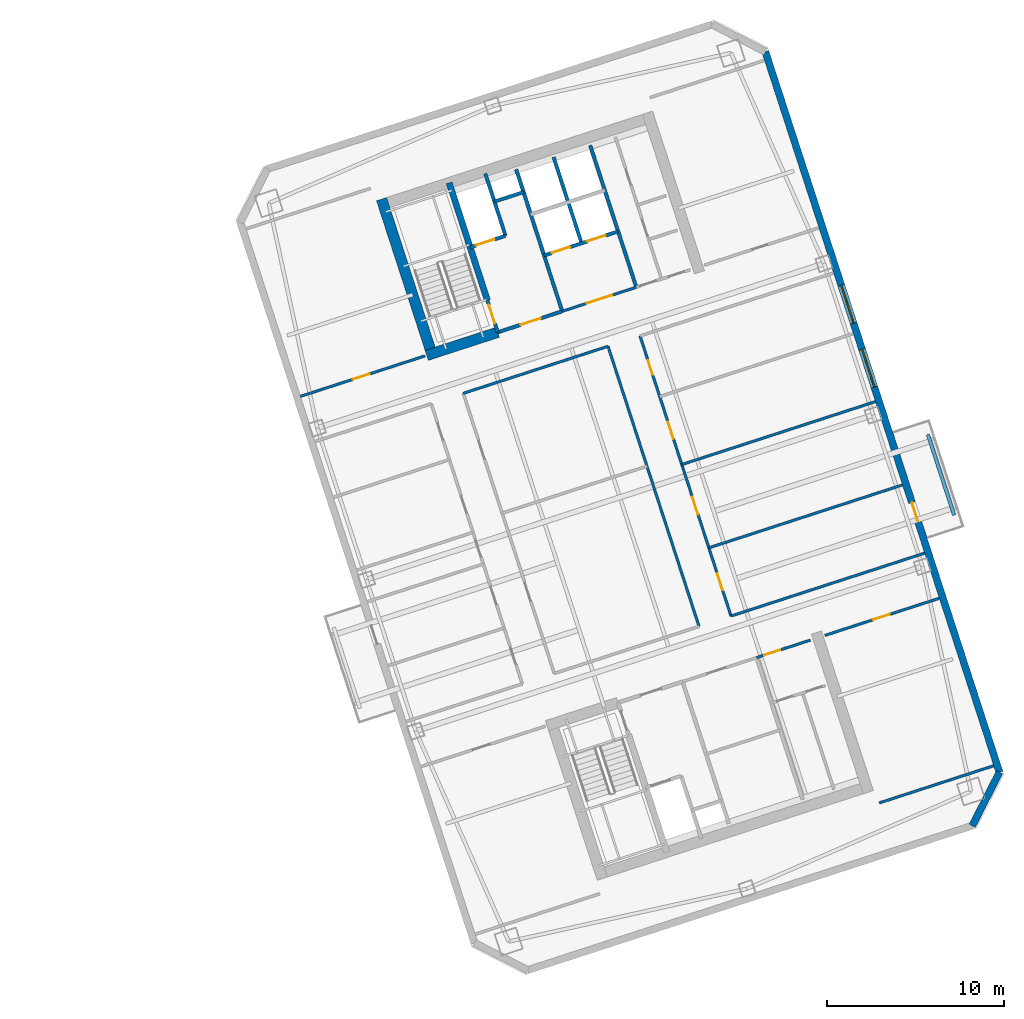
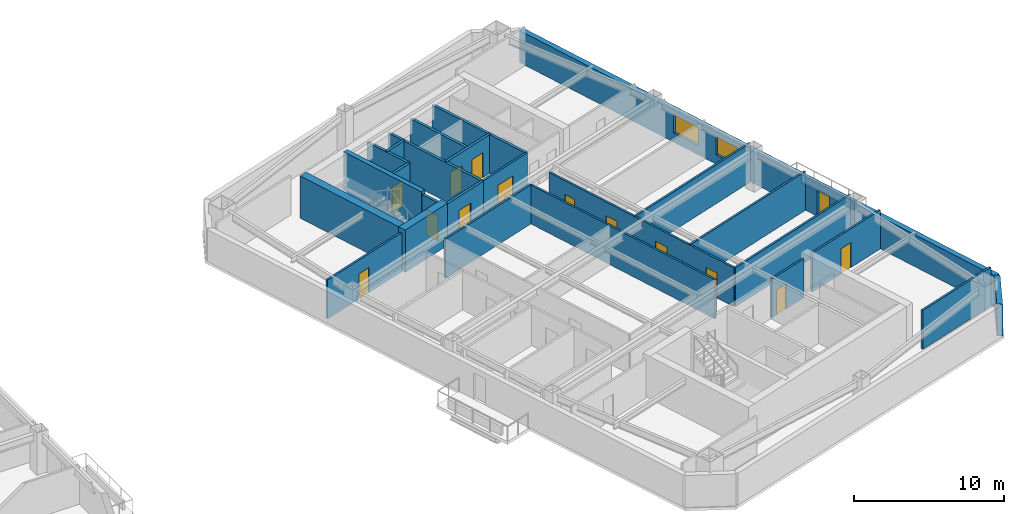
# One storey, part 9 of 15: 26 walls, 14 doors, 2 windows, 16 openings.
"""IFC4 building model written with IfcOpenShell, lengths in metres."""

import ifcopenshell
import ifcopenshell.guid

model = None  # the IFC model being written
_history = None  # IfcOwnerHistory: only IFC2X3 demands one
_inside = {}  # id of a spatial element -> (the spatial element, [elements in it])
_under = {}  # id of a project, library or spatial element -> (it, [spatial elements below it])
_declared = {}  # id of a project -> (the project, [libraries it declares])
_typed = {}  # id of a type object -> (the type object, [elements of that type])
_made_of = {}  # id of a material, layer set ... -> (it, [elements and type objects made of it])


def new_model(schema):
    """Start an empty IFC model of exactly this schema.

    Asked for "IFC4X3", IfcOpenShell would pick the latest addendum, in which some entities
    have other attributes; the version numbers below select the first issue.
    IFC2X3 requires an IfcOwnerHistory on every rooted entity: one is made here for all.
    """
    global model, _history
    if schema == "IFC4X3":
        model = ifcopenshell.file(schema_version=(4, 3, 0, 0))
    else:
        model = ifcopenshell.file(schema=schema)
    _inside.clear()
    _under.clear()
    _declared.clear()
    _typed.clear()
    _made_of.clear()
    _history = None
    if model.schema == "IFC2X3":
        org = make("IfcOrganization", Name="unknown")
        user = make(
            "IfcPersonAndOrganization",
            ThePerson=make("IfcPerson", FamilyName="unknown"),
            TheOrganization=org,
        )
        app = make(
            "IfcApplication",
            ApplicationDeveloper=org,
            Version="unknown",
            ApplicationFullName="unknown",
            ApplicationIdentifier="unknown",
        )
        _history = make(
            "IfcOwnerHistory",
            OwningUser=user,
            OwningApplication=app,
            ChangeAction="ADDED",
            CreationDate=0,
        )
    return model


def make(cls, **values):
    """One entity of the class cls with the attributes given. An attribute that is None is left unset."""
    return model.create_entity(
        cls, **{name: value for name, value in values.items() if value is not None}
    )


def rooted(cls, **values):
    """An entity with a GlobalId (a new one), such as an element, a storey or a relation."""
    return make(cls, GlobalId=ifcopenshell.guid.new(), OwnerHistory=_history, **values)


def si_unit(unit_type, name, prefix=None):
    """IfcSIUnit, for example si_unit("LENGTHUNIT", "METRE", prefix="MILLI")."""
    return make("IfcSIUnit", UnitType=unit_type, Prefix=prefix, Name=name)


def assignment(units):
    """IfcUnitAssignment: the units of a project."""
    return None if units is None else make("IfcUnitAssignment", Units=units)


def point(xyz):
    """IfcCartesianPoint."""
    return None if xyz is None else make("IfcCartesianPoint", Coordinates=xyz)


def direction(xyz):
    """IfcDirection."""
    return None if xyz is None else make("IfcDirection", DirectionRatios=xyz)


def frame(location, z_axis=None, x_axis=None):
    """IfcAxis2Placement3D, a coordinate frame: its origin and axes. An axis left out is left unset."""
    return make(
        "IfcAxis2Placement3D",
        Location=point(location),
        Axis=direction(z_axis),
        RefDirection=direction(x_axis),
    )


def frame_2d(location, x_axis=None):
    """IfcAxis2Placement2D, a coordinate frame in the plane: its origin and x axis."""
    return make(
        "IfcAxis2Placement2D", Location=point(location), RefDirection=direction(x_axis)
    )


def origin():
    """The frame at (0, 0, 0) with its axes left unset."""
    return frame((0.0, 0.0, 0.0))


def place(relative_to, where):
    """IfcLocalPlacement: puts the frame where relative to a parent placement (None: the world)."""
    return make(
        "IfcLocalPlacement", PlacementRelTo=relative_to, RelativePlacement=where
    )


def context(
    kind, dimensions, precision=None, world=None, true_north=None, identifier=None
):
    """IfcGeometricRepresentationContext, for example the 3D "Model" context."""
    return make(
        "IfcGeometricRepresentationContext",
        ContextIdentifier=identifier,
        ContextType=kind,
        CoordinateSpaceDimension=dimensions,
        Precision=precision,
        WorldCoordinateSystem=world,
        TrueNorth=true_north,
    )


def subcontext(parent, identifier, kind, view, scale=None):
    """IfcGeometricRepresentationSubContext, for example "Body" below "Model"."""
    return make(
        "IfcGeometricRepresentationSubContext",
        ContextIdentifier=identifier,
        ContextType=kind,
        ParentContext=parent,
        TargetScale=scale,
        TargetView=view,
    )


def project(units=None, contexts=None):
    """IfcProject with its units and contexts."""
    return rooted(
        "IfcProject",
        Name="project",
        RepresentationContexts=contexts,
        UnitsInContext=assignment(units),
    )


def spatial(cls, under=None, at=None, **own):
    """A site, building, storey or space (cls), placed at a placement, below another one or the project."""
    s = rooted(cls, ObjectPlacement=at, **own)
    if under is not None:
        _under.setdefault(under.id(), (under, []))[1].append(s)
    return s


def profile(cls, at=None, kind="AREA", **sizes):
    """A parametric profile (cls). Its sizes go by their IFC names, for example OverallWidth=200.0."""
    return make(cls, ProfileType=kind, Position=at, **sizes)


def rectangle(**sizes):
    """IfcRectangleProfileDef."""
    return profile("IfcRectangleProfileDef", **sizes)


def extrude(swept, where, along, depth):
    """IfcExtrudedAreaSolid: the profile swept, set in the frame where, extruded along a direction by depth."""
    return make(
        "IfcExtrudedAreaSolid",
        SweptArea=swept,
        Position=where,
        ExtrudedDirection=direction(along),
        Depth=depth,
    )


def shape(context_of_items, identifier, shape_type, items):
    """IfcShapeRepresentation: the items that make up one representation, for example the "Body"."""
    return make(
        "IfcShapeRepresentation",
        ContextOfItems=context_of_items,
        RepresentationIdentifier=identifier,
        RepresentationType=shape_type,
        Items=items,
    )


def material(Name=None, Category=None):
    """IfcMaterial."""
    return make("IfcMaterial", Name=Name, Category=Category)


def layer(
    of_material, thickness, ventilated=None, Name=None, Category=None, Priority=None
):
    """IfcMaterialLayer: one layer of a wall or slab, of a material (None: an air gap)."""
    return make(
        "IfcMaterialLayer",
        Material=of_material,
        LayerThickness=thickness,
        IsVentilated=ventilated,
        Name=Name,
        Category=Category,
        Priority=Priority,
    )


def layer_set(layers, Name=None):
    """IfcMaterialLayerSet."""
    return make("IfcMaterialLayerSet", MaterialLayers=layers, LayerSetName=Name)


def made_of(thing, what):
    """Note that an element or type object is made of a material, layer set ...; save() writes the relation."""
    if what is not None:
        _made_of.setdefault(what.id(), (what, []))[1].append(thing)
    return thing


def type_object(cls, material=None, **own):
    """A type object (cls), such as IfcWallType, which elements share."""
    return made_of(rooted(cls, **own), material)


def element(
    cls,
    number,
    at=None,
    inside=None,
    cuts=None,
    type_object=None,
    material=None,
    context=None,
    identifier="Body",
    shape_type=None,
    held_by="IfcProductDefinitionShape",
    body=None,
    shapes=None,
    **own,
):
    """One element of the class cls, such as IfcWall. Its Tag is "e" and its number.

    at: its placement. inside: the storey or other place that contains it. cuts: it is an
    opening in that element (IfcRelVoidsElement). A single representation is given by context,
    identifier, shape_type and body (its items); several are given by shapes. held_by: the class
    of the entity that holds the representations. save() writes the other relations.
    """
    e = rooted(cls, Tag="e%d" % number, ObjectPlacement=at, **own)
    if body is not None:
        shapes = [shape(context, identifier, shape_type, body)]
    if shapes is not None:
        e.Representation = make(held_by, Representations=shapes)
    if inside is not None:
        _inside.setdefault(inside.id(), (inside, []))[1].append(e)
    if cuts is not None:
        rooted(
            "IfcRelVoidsElement", RelatingBuildingElement=cuts, RelatedOpeningElement=e
        )
    if type_object is not None:
        _typed.setdefault(type_object.id(), (type_object, []))[1].append(e)
    return made_of(e, material)


def fill(opening, filler):
    """IfcRelFillsElement: the door or window that sits in an opening."""
    return rooted(
        "IfcRelFillsElement",
        RelatingOpeningElement=opening,
        RelatedBuildingElement=filler,
    )


def aggregate(whole, parts):
    """IfcRelAggregates: a whole, such as a stair, and the parts it consists of."""
    return rooted("IfcRelAggregates", RelatingObject=whole, RelatedObjects=parts)


def save(model, path):
    """Write the relations noted so far, then the file.

    IfcRelAggregates (storeys below a building ...), IfcRelContainedInSpatialStructure (elements
    in a storey), IfcRelDefinesByType, IfcRelAssociatesMaterial and IfcRelDeclares: one each for
    every whole, place, type object, material and project.
    """
    for whole, parts in _under.values():
        aggregate(whole, parts)
    for where, things in _inside.values():
        rooted(
            "IfcRelContainedInSpatialStructure",
            RelatedElements=things,
            RelatingStructure=where,
        )
    for kind, things in _typed.values():
        rooted("IfcRelDefinesByType", RelatedObjects=things, RelatingType=kind)
    for what, things in _made_of.values():
        rooted("IfcRelAssociatesMaterial", RelatedObjects=things, RelatingMaterial=what)
    for by, libraries in _declared.values():
        rooted("IfcRelDeclares", RelatingContext=by, RelatedDefinitions=libraries)
    model.write(path)


model = new_model("IFC4")

# Units and contexts
model_context = context("Model", 3, precision=1e-05, world=origin(), true_north=direction((0.0, 1.0)))
body_context = subcontext(model_context, "Body", "Model", "MODEL_VIEW")
ifc_project = project(units=[si_unit("LENGTHUNIT", "METRE"), si_unit("AREAUNIT", "SQUARE_METRE"), si_unit("VOLUMEUNIT", "CUBIC_METRE"), si_unit("PLANEANGLEUNIT", "RADIAN"), si_unit("MASSUNIT", "GRAM", prefix="KILO")], contexts=[model_context])

# Site, building, storey
site_placement = place(None, origin())
site = spatial("IfcSite", under=ifc_project, at=site_placement, CompositionType="ELEMENT")
building_placement = place(site_placement, origin())
building = spatial("IfcBuilding", under=site, at=building_placement, Name="Qiaolan Cultural Towers", CompositionType="ELEMENT")
storey_placement = place(building_placement, frame((0.0, 0.0, 166.75)))
storey = spatial("IfcBuildingStorey", under=building, at=storey_placement, Name="L44", CompositionType="ELEMENT", Elevation=166.75)

# Walls
ifc_material_1 = material(Name="Concrete C50", Category="concrete")
ifc_layer_1 = layer(ifc_material_1, 0.35009765625)
ifc_layer_set_1 = layer_set([ifc_layer_1], Name="Concrete C50")
wall_type_1 = type_object("IfcWallType", Name="WL-CORE-350", PredefinedType="SHEAR", material=ifc_layer_set_1)
wall_1_placement = place(storey_placement, frame((82.513671875, 45.13134765625, 0.0), z_axis=(0.0, 0.0, 1.0), x_axis=(-0.308988790936, 0.951065679686, 0.0)))
element("IfcWall", 1, at=wall_1_placement, inside=storey, type_object=wall_type_1, Name="L44 T2-CN Stair Core Dividing Web", PredefinedType="SHEAR", context=body_context, shape_type="SweptSolid", body=[
    extrude(rectangle(XDim=6.97998046875, YDim=0.35009765625, at=frame_2d((3.489990234375, 0.0))), origin(), (0.0, 0.0, 1.0), 3.449951171875),
])
ifc_material_2 = material(Name="Concrete C55", Category="concrete")
ifc_layer_2 = layer(ifc_material_2, 0.60009765625)
ifc_layer_set_2 = layer_set([ifc_layer_2], Name="Concrete C55")
wall_type_2 = type_object("IfcWallType", Name="WL-CORE-600", PredefinedType="SHEAR", material=ifc_layer_set_2)
wall_2_placement = place(storey_placement, frame((79.465576171875, 41.827880859375, 0.0), z_axis=(0.0, 0.0, 1.0), x_axis=(-0.309041232772, 0.951048640421, 0.0)))
element("IfcWall", 2, at=wall_2_placement, inside=storey, type_object=wall_type_2, Name="L44 T2-CN West Core Shear Wall", PredefinedType="SHEAR", context=body_context, shape_type="SweptSolid", body=[
    extrude(rectangle(XDim=9.47998046875, YDim=0.60009765625, at=frame_2d((4.739990234375, 0.0))), origin(), (0.0, 0.0, 1.0), 3.449951171875),
])
wall_3_placement = place(storey_placement, frame((79.08740234375, 42.0205078125, 0.0), z_axis=(0.0, 0.0, 1.0), x_axis=(0.951062550203, 0.3089984233, 0.0)))
element("IfcWall", 3, at=wall_3_placement, inside=storey, type_object=wall_type_2, Name="L44 T2-CN Stair Front Shear Wall", PredefinedType="SHEAR", context=body_context, shape_type="SweptSolid", body=[
    extrude(rectangle(XDim=4.219970703125, YDim=0.60009765625, at=frame_2d((2.10986328125, 0.0))), origin(), (0.0, 0.0, 1.0), 3.449951171875),
])

# Wall, openings, door, windows
ifc_material_3 = material(Name="Precast Concrete C50 Honed Stone Pier", Category="masonry")
ifc_layer_3 = layer(ifc_material_3, 0.39990234375)
ifc_layer_set_3 = layer_set([ifc_layer_3], Name="Precast Concrete C50 Honed Stone Pier")
wall_type_3 = type_object("IfcWallType", Name="WL-EXT-PIER-400", PredefinedType="SOLIDWALL", material=ifc_layer_set_3)
wall_4_placement = place(storey_placement, frame((98.2236328125, 59.17333984375, 0.0), z_axis=(0.0, 0.0, 1.0), x_axis=(0.309014228706, -0.951057414911, 0.0)))
wall_4 = element("IfcWall", 4, at=wall_4_placement, inside=storey, type_object=wall_type_3, Name="L44 East Tower Precast Pier Facade Wall F5", PredefinedType="SOLIDWALL", context=body_context, shape_type="SweptSolid", body=[
    extrude(rectangle(XDim=42.800048828125, YDim=0.39990234375, at=frame_2d((21.39990234375, 0.0))), origin(), (0.0, 0.0, 1.0), 2.610107421875),
])
opening_1_placement = place(wall_4_placement, frame((17.675048828125, 0.0, 0.75)))
opening_1 = element("IfcOpeningElement", 5, at=opening_1_placement, cuts=wall_4, Name="Opening W-03", PredefinedType="OPENING", context=body_context, shape_type="SweptSolid", body=[
    extrude(rectangle(XDim=2.25, YDim=1.4599609375, at=frame_2d((1.125, 0.72998046875))), frame((0.0, 0.2099609375, 0.0), z_axis=(0.0, -1.0, 0.0), x_axis=(1.0, 0.0, 0.0)), (0.0, 0.0, 1.0), 0.419921875),
])
opening_2_placement = place(wall_4_placement, frame((13.875, 0.0, 0.75)))
opening_2 = element("IfcOpeningElement", 6, at=opening_2_placement, cuts=wall_4, Name="Opening W-03", PredefinedType="OPENING", context=body_context, shape_type="SweptSolid", body=[
    extrude(rectangle(XDim=2.25, YDim=1.4599609375, at=frame_2d((1.125, 0.72998046875))), frame((0.0, 0.2099609375, 0.0), z_axis=(0.0, -1.0, 0.0), x_axis=(1.0, 0.0, 0.0)), (0.0, 0.0, 1.0), 0.419921875),
])
opening_3_placement = place(wall_4_placement, frame((26.7841796875, 0.0, 0.0)))
opening_3 = element("IfcOpeningElement", 7, at=opening_3_placement, cuts=wall_4, Name="Opening BD-01", PredefinedType="OPENING", context=body_context, shape_type="SweptSolid", body=[
    extrude(rectangle(XDim=1.10009765625, YDim=2.14990234375, at=frame_2d((0.550048828125, 1.074951171875))), frame((0.0, 0.2099609375, 0.0), z_axis=(0.0, -1.0, 0.0), x_axis=(1.0, 0.0, 0.0)), (0.0, 0.0, 1.0), 0.419921875),
])
ifc_material_4 = material(Name="Thermally Broken Aluminium Glazed Terrace Door", Category="aluminium")
door_type_1 = type_object("IfcDoorType", Name="DR-BAL-1100", OperationType="NOTDEFINED", PredefinedType="DOOR", material=ifc_material_4)
door_1_placement = place(opening_3_placement, origin())
door_1 = element("IfcDoor", 8, at=door_1_placement, inside=storey, type_object=door_type_1, Name="L44 T2 East Tree Balcony Door", OperationType="SINGLE_SWING_RIGHT", OverallHeight=2.14990234375, OverallWidth=1.10009765625, PredefinedType="DOOR", context=body_context, shape_type="SweptSolid", body=[
    extrude(rectangle(XDim=1.10009765625, YDim=2.14990234375, at=frame_2d((0.550048828125, 1.074951171875))), frame((0.0, 0.02490234375, 0.0), z_axis=(0.0, -1.0, 0.0), x_axis=(1.0, 0.0, 0.0)), (0.0, 0.0, 1.0), 0.050048828125),
])
fill(opening_3, door_1)
ifc_material_5 = material(Name="Thermally Broken Aluminium Triple Low-E Glazing", Category="aluminium")
window_type = type_object("IfcWindowType", Name="WN-CHIC-2250", PartitioningType="SINGLE_PANEL", PredefinedType="WINDOW", material=ifc_material_5)
window_1_placement = place(opening_1_placement, origin())
window_1 = element("IfcWindow", 9, at=window_1_placement, inside=storey, type_object=window_type, Name="L44 T2 E Chicago Bay Window 1", OverallHeight=1.4599609375, OverallWidth=2.25, PartitioningType="TRIPLE_PANEL_VERTICAL", PredefinedType="WINDOW", context=body_context, shape_type="SweptSolid", body=[
    extrude(rectangle(XDim=2.25, YDim=1.4599609375, at=frame_2d((1.125, 0.72998046875))), frame((0.0, 0.030029296875, 0.0), z_axis=(0.0, -1.0, 0.0), x_axis=(1.0, 0.0, 0.0)), (0.0, 0.0, 1.0), 0.06005859375),
])
fill(opening_1, window_1)
window_2_placement = place(opening_2_placement, origin())
window_2 = element("IfcWindow", 10, at=window_2_placement, inside=storey, type_object=window_type, Name="L44 T2 E Chicago Bay Window 2", OverallHeight=1.4599609375, OverallWidth=2.25, PartitioningType="TRIPLE_PANEL_VERTICAL", PredefinedType="WINDOW", context=body_context, shape_type="SweptSolid", body=[
    extrude(rectangle(XDim=2.25, YDim=1.4599609375, at=frame_2d((1.125, 0.72998046875))), frame((0.0, 0.030029296875, 0.0), z_axis=(0.0, -1.0, 0.0), x_axis=(1.0, 0.0, 0.0)), (0.0, 0.0, 1.0), 0.06005859375),
])
fill(opening_2, window_2)

# Wall
wall_5_placement = place(storey_placement, frame((111.449462890625, 18.468017578125, 0.0), z_axis=(0.0, 0.0, 1.0), x_axis=(-0.454019523198, -0.890991735402, 0.0)))
element("IfcWall", 11, at=wall_5_placement, inside=storey, type_object=wall_type_3, Name="L44 East Tower Precast Pier Facade Wall F6", PredefinedType="SOLIDWALL", context=body_context, shape_type="SweptSolid", body=[
    extrude(rectangle(XDim=3.39404296875, YDim=0.39990234375, at=frame_2d((1.697021484375, 0.0))), origin(), (0.0, 0.0, 1.0), 2.610107421875),
])

# Wall, opening, door
ifc_material_6 = material(Name="Concrete C35 Fire Wall", Category="concrete")
ifc_layer_4 = layer(ifc_material_6, 0.199951171875)
ifc_layer_set_4 = layer_set([ifc_layer_4], Name="Concrete C35 Fire Wall")
wall_type_4 = type_object("IfcWallType", Name="WL-FIRE-200", PredefinedType="PARTITIONING", material=ifc_layer_set_4)
wall_6_placement = place(storey_placement, frame((83.100830078125, 43.324462890625, 0.0), z_axis=(0.0, 0.0, 1.0), x_axis=(-0.309048298632, 0.951046344356, 0.0)))
wall_6 = element("IfcWall", 12, at=wall_6_placement, inside=storey, type_object=wall_type_4, Name="L44 T2-CN Smokeproof Stair Entry Wall", PredefinedType="PARTITIONING", context=body_context, shape_type="SweptSolid", body=[
    extrude(rectangle(XDim=1.89990234375, YDim=0.199951171875, at=frame_2d((0.949951171875, 0.0))), origin(), (0.0, 0.0, 1.0), 3.175048828125),
])
opening_4_placement = place(wall_6_placement, frame((0.52001953125, 0.0, 0.0)))
opening_4 = element("IfcOpeningElement", 13, at=opening_4_placement, cuts=wall_6, Name="Opening FD-04", PredefinedType="OPENING", context=body_context, shape_type="SweptSolid", body=[
    extrude(rectangle(XDim=1.10009765625, YDim=2.050048828125, at=frame_2d((0.550048828125, 1.02490234375))), frame((0.0, 0.10986328125, 0.0), z_axis=(0.0, -1.0, 0.0), x_axis=(1.0, 0.0, 0.0)), (0.0, 0.0, 1.0), 0.219970703125),
])
ifc_material_7 = material(Name="Galvanized Steel Command Fire Door", Category="steel")
door_type_2 = type_object("IfcDoorType", Name="DR-FD90-1100", OperationType="NOTDEFINED", PredefinedType="DOOR", material=ifc_material_7)
door_2_placement = place(opening_4_placement, origin())
door_2 = element("IfcDoor", 14, at=door_2_placement, inside=storey, type_object=door_type_2, Name="L44 ST-E2 Smokeproof Stair Fire Door", OperationType="SINGLE_SWING_LEFT", OverallHeight=2.050048828125, OverallWidth=1.10009765625, PredefinedType="DOOR", context=body_context, shape_type="SweptSolid", body=[
    extrude(rectangle(XDim=1.10009765625, YDim=2.050048828125, at=frame_2d((0.550048828125, 1.02490234375))), frame((0.0, 0.02490234375, 0.0), z_axis=(0.0, -1.0, 0.0), x_axis=(1.0, 0.0, 0.0)), (0.0, 0.0, 1.0), 0.050048828125),
])
fill(opening_4, door_2)

# Wall
wall_7_placement = place(storey_placement, frame((86.743408203125, 44.508056640625, 0.0), z_axis=(0.0, 0.0, 1.0), x_axis=(-0.309016001439, 0.951056838919, 0.0)))
element("IfcWall", 15, at=wall_7_placement, inside=storey, type_object=wall_type_4, Name="L44 T2-CN Firefighting Zone Wall", PredefinedType="PARTITIONING", context=body_context, shape_type="SweptSolid", body=[
    extrude(rectangle(XDim=8.429931640625, YDim=0.199951171875, at=frame_2d((4.21484375, 0.0))), origin(), (0.0, 0.0, 1.0), 3.175048828125),
])

# Wall, opening, door
wall_8_placement = place(storey_placement, frame((83.100830078125, 43.324462890625, 0.0), z_axis=(0.0, 0.0, 1.0), x_axis=(0.951052804469, 0.309028417967, 0.0)))
wall_8 = element("IfcWall", 16, at=wall_8_placement, inside=storey, type_object=wall_type_4, Name="L44 T2-CN Firefighting Lobby Front Wall", PredefinedType="PARTITIONING", context=body_context, shape_type="SweptSolid", body=[
    extrude(rectangle(XDim=3.830078125, YDim=0.199951171875, at=frame_2d((1.9150390625, 0.0))), origin(), (0.0, 0.0, 1.0), 3.175048828125),
])
opening_5_placement = place(wall_8_placement, frame((1.35009765625, 0.0, 0.0)))
opening_5 = element("IfcOpeningElement", 17, at=opening_5_placement, cuts=wall_8, Name="Opening FD-03", PredefinedType="OPENING", context=body_context, shape_type="SweptSolid", body=[
    extrude(rectangle(XDim=1.199951171875, YDim=2.050048828125, at=frame_2d((0.60009765625, 1.02490234375))), frame((0.0, 0.10986328125, 0.0), z_axis=(0.0, -1.0, 0.0), x_axis=(1.0, 0.0, 0.0)), (0.0, 0.0, 1.0), 0.219970703125),
])
ifc_material_8 = material(Name="Galvanized Steel Smokeproof Lobby Fire Door", Category="steel")
door_type_3 = type_object("IfcDoorType", Name="DR-FD90-1200", OperationType="NOTDEFINED", PredefinedType="DOOR", material=ifc_material_8)
door_3_placement = place(opening_5_placement, origin())
door_3 = element("IfcDoor", 18, at=door_3_placement, inside=storey, type_object=door_type_3, Name="L44 FFL-E2 Firefighting Lobby Fire Door", OperationType="SINGLE_SWING_LEFT", OverallHeight=2.050048828125, OverallWidth=1.199951171875, PredefinedType="DOOR", context=body_context, shape_type="SweptSolid", body=[
    extrude(rectangle(XDim=1.199951171875, YDim=2.050048828125, at=frame_2d((0.60009765625, 1.02490234375))), frame((0.0, 0.02490234375, 0.0), z_axis=(0.0, -1.0, 0.0), x_axis=(1.0, 0.0, 0.0)), (0.0, 0.0, 1.0), 0.050048828125),
])
fill(opening_5, door_3)

wall_9_placement = place(storey_placement, frame((81.540283203125, 48.127197265625, 0.0), z_axis=(0.0, 0.0, 1.0), x_axis=(0.951062257173, 0.308999325213, 0.0)))
wall_9 = element("IfcWall", 19, at=wall_9_placement, inside=storey, type_object=wall_type_4, Name="L44 T2-CN Firefighting Shaft Front Wall", PredefinedType="PARTITIONING", context=body_context, shape_type="SweptSolid", body=[
    extrude(rectangle(XDim=2.10009765625, YDim=0.199951171875, at=frame_2d((1.050048828125, 0.0))), origin(), (0.0, 0.0, 1.0), 3.175048828125),
])
opening_6_placement = place(wall_9_placement, frame((0.35009765625, 0.0, 0.0)))
opening_6 = element("IfcOpeningElement", 20, at=opening_6_placement, cuts=wall_9, Name="Opening LD-01", PredefinedType="OPENING", context=body_context, shape_type="SweptSolid", body=[
    extrude(rectangle(XDim=1.10009765625, YDim=2.050048828125, at=frame_2d((0.550048828125, 1.02490234375))), frame((0.0, 0.10986328125, 0.0), z_axis=(0.0, -1.0, 0.0), x_axis=(1.0, 0.0, 0.0)), (0.0, 0.0, 1.0), 0.219970703125),
])
ifc_material_9 = material(Name="Brushed Stainless Steel S30408 Centre-Parting Lift Landing Door", Category="steel")
door_type_4 = type_object("IfcDoorType", Name="DR-LIFT-1100", OperationType="NOTDEFINED", PredefinedType="DOOR", material=ifc_material_9)
door_4_placement = place(opening_6_placement, origin())
door_4 = element("IfcDoor", 21, at=door_4_placement, inside=storey, type_object=door_type_4, Name="L44 FFL-E2 Firefighting Lift Landing Door", OperationType="DOUBLE_DOOR_SLIDING", OverallHeight=2.050048828125, OverallWidth=1.10009765625, PredefinedType="DOOR", context=body_context, shape_type="SweptSolid", body=[
    extrude(rectangle(XDim=1.10009765625, YDim=2.050048828125, at=frame_2d((0.550048828125, 1.02490234375))), frame((0.0, 0.02490234375, 0.0), z_axis=(0.0, -1.0, 0.0), x_axis=(1.0, 0.0, 0.0)), (0.0, 0.0, 1.0), 0.050048828125),
])
fill(opening_6, door_4)

# Walls
wall_10_placement = place(storey_placement, frame((83.53759765625, 48.776123046875, 0.0), z_axis=(0.0, 0.0, 1.0), x_axis=(-0.3089935693, 0.951064127245, 0.0)))
element("IfcWall", 22, at=wall_10_placement, inside=storey, type_object=wall_type_4, Name="L44 T2-CN Firefighting Hoistway East Wall", PredefinedType="PARTITIONING", context=body_context, shape_type="SweptSolid", body=[
    extrude(rectangle(XDim=3.7001953125, YDim=0.199951171875, at=frame_2d((1.85009765625, 0.0))), origin(), (0.0, 0.0, 1.0), 3.175048828125),
])
wall_11_placement = place(storey_placement, frame((82.910400390625, 50.706787109375, 0.0), z_axis=(0.0, 0.0, 1.0), x_axis=(0.951041328149, 0.309063734775, 0.0)))
element("IfcWall", 23, at=wall_11_placement, inside=storey, type_object=wall_type_4, Name="L44 T2-CN Pressurization Shaft Front Wall", PredefinedType="PARTITIONING", context=body_context, shape_type="SweptSolid", body=[
    extrude(rectangle(XDim=1.72998046875, YDim=0.199951171875, at=frame_2d((0.864990234375, 0.0))), origin(), (0.0, 0.0, 1.0), 3.175048828125),
])
wall_12_placement = place(storey_placement, frame((90.92822265625, 45.86767578125, 0.0), z_axis=(0.0, 0.0, 1.0), x_axis=(-0.309042196757, 0.951048327176, 0.0)))
element("IfcWall", 24, at=wall_12_placement, inside=storey, type_object=wall_type_4, Name="L44 T2-CN Lift Core East Wall", PredefinedType="PARTITIONING", context=body_context, shape_type="SweptSolid", body=[
    extrude(rectangle(XDim=8.429931640625, YDim=0.199951171875, at=frame_2d((4.21484375, 0.0))), origin(), (0.0, 0.0, 1.0), 3.175048828125),
])

# Wall, openings, doors
wall_13_placement = place(storey_placement, frame((85.717529296875, 47.66552734375, 0.0), z_axis=(0.0, 0.0, 1.0), x_axis=(0.951058531764, 0.30901079133, 0.0)))
wall_13 = element("IfcWall", 25, at=wall_13_placement, inside=storey, type_object=wall_type_4, Name="L44 T2-CN Passenger Lift Shaft Front Wall", PredefinedType="PARTITIONING", context=body_context, shape_type="SweptSolid", body=[
    extrude(rectangle(XDim=4.39990234375, YDim=0.199951171875, at=frame_2d((2.199951171875, 0.0))), origin(), (0.0, 0.0, 1.0), 3.175048828125),
])
opening_7_placement = place(wall_13_placement, frame((0.449951171875, 0.0, 0.0)))
opening_7 = element("IfcOpeningElement", 26, at=opening_7_placement, cuts=wall_13, Name="Opening LD-01", PredefinedType="OPENING", context=body_context, shape_type="SweptSolid", body=[
    extrude(rectangle(XDim=1.10009765625, YDim=2.050048828125, at=frame_2d((0.550048828125, 1.02490234375))), frame((0.0, 0.10986328125, 0.0), z_axis=(0.0, -1.0, 0.0), x_axis=(1.0, 0.0, 0.0)), (0.0, 0.0, 1.0), 0.219970703125),
])
opening_8_placement = place(wall_13_placement, frame((2.550048828125, 0.0, 0.0)))
opening_8 = element("IfcOpeningElement", 27, at=opening_8_placement, cuts=wall_13, Name="Opening LD-01", PredefinedType="OPENING", context=body_context, shape_type="SweptSolid", body=[
    extrude(rectangle(XDim=1.10009765625, YDim=2.050048828125, at=frame_2d((0.550048828125, 1.02490234375))), frame((0.0, 0.10986328125, 0.0), z_axis=(0.0, -1.0, 0.0), x_axis=(1.0, 0.0, 0.0)), (0.0, 0.0, 1.0), 0.219970703125),
])
door_5_placement = place(opening_7_placement, origin())
door_5 = element("IfcDoor", 28, at=door_5_placement, inside=storey, type_object=door_type_4, Name="L44 Passenger Lift 1 Landing Door", OperationType="DOUBLE_DOOR_SLIDING", OverallHeight=2.050048828125, OverallWidth=1.10009765625, PredefinedType="DOOR", context=body_context, shape_type="SweptSolid", body=[
    extrude(rectangle(XDim=1.10009765625, YDim=2.050048828125, at=frame_2d((0.550048828125, 1.02490234375))), frame((0.0, 0.02490234375, 0.0), z_axis=(0.0, -1.0, 0.0), x_axis=(1.0, 0.0, 0.0)), (0.0, 0.0, 1.0), 0.050048828125),
])
fill(opening_7, door_5)
door_6_placement = place(opening_8_placement, origin())
door_6 = element("IfcDoor", 29, at=door_6_placement, inside=storey, type_object=door_type_4, Name="L44 Passenger Lift 2 Landing Door", OperationType="DOUBLE_DOOR_SLIDING", OverallHeight=2.050048828125, OverallWidth=1.10009765625, PredefinedType="DOOR", context=body_context, shape_type="SweptSolid", body=[
    extrude(rectangle(XDim=1.10009765625, YDim=2.050048828125, at=frame_2d((0.550048828125, 1.02490234375))), frame((0.0, 0.02490234375, 0.0), z_axis=(0.0, -1.0, 0.0), x_axis=(1.0, 0.0, 0.0)), (0.0, 0.0, 1.0), 0.050048828125),
])
fill(opening_8, door_6)

# Wall
wall_14_placement = place(storey_placement, frame((87.83837890625, 48.3544921875, 0.0), z_axis=(0.0, 0.0, 1.0), x_axis=(-0.3090093719, 0.951058992953, 0.0)))
element("IfcWall", 30, at=wall_14_placement, inside=storey, type_object=wall_type_4, Name="L44 T2-CN Lift Shaft Divider Wall", PredefinedType="PARTITIONING", context=body_context, shape_type="SweptSolid", body=[
    extrude(rectangle(XDim=5.110107421875, YDim=0.199951171875, at=frame_2d((2.55517578125, 0.0))), origin(), (0.0, 0.0, 1.0), 3.175048828125),
])

# Wall, opening, door
ifc_material_10 = material(Name="Autoclaved Aerated Concrete Block B06", Category="concrete")
ifc_layer_5 = layer(ifc_material_10, 0.14990234375)
ifc_layer_set_5 = layer_set([ifc_layer_5], Name="Autoclaved Aerated Concrete Block B06")
wall_type_5 = type_object("IfcWallType", Name="WL-PART-150", PredefinedType="PARTITIONING", material=ifc_layer_set_5)
wall_15_placement = place(storey_placement, frame((97.7265625, 24.9443359375, 0.0), z_axis=(0.0, 0.0, 1.0), x_axis=(0.951036872128, 0.309077446369, 0.0)))
wall_15 = element("IfcWall", 31, at=wall_15_placement, inside=storey, type_object=wall_type_5, Name="L44 T2-CS Sanitary Core Front Wall", PredefinedType="PARTITIONING", context=body_context, shape_type="SweptSolid", body=[
    extrude(rectangle(XDim=3.199951171875, YDim=0.14990234375, at=frame_2d((1.60009765625, 0.0))), origin(), (0.0, 0.0, 1.0), 3.175048828125),
])
opening_9_placement = place(wall_15_placement, frame((0.449951171875, 0.0, 0.0)))
opening_9 = element("IfcOpeningElement", 32, at=opening_9_placement, cuts=wall_15, Name="Opening ID-05", PredefinedType="OPENING", context=body_context, shape_type="SweptSolid", body=[
    extrude(rectangle(XDim=0.949951171875, YDim=2.050048828125, at=frame_2d((0.47509765625, 1.02490234375))), frame((0.0, 0.0849609375, 0.0), z_axis=(0.0, -1.0, 0.0), x_axis=(1.0, 0.0, 0.0)), (0.0, 0.0, 1.0), 0.169921875),
])
ifc_material_11 = material(Name="Fire-Rated Laminate Accessible Core Door", Category="timber")
door_type_5 = type_object("IfcDoorType", Name="DR-INT-950", OperationType="NOTDEFINED", PredefinedType="DOOR", material=ifc_material_11)
door_7_placement = place(opening_9_placement, origin())
door_7 = element("IfcDoor", 33, at=door_7_placement, inside=storey, type_object=door_type_5, Name="L44 Sanitary Vestibule Door", OperationType="SINGLE_SWING_LEFT", OverallHeight=2.050048828125, OverallWidth=0.949951171875, PredefinedType="DOOR", context=body_context, shape_type="SweptSolid", body=[
    extrude(rectangle(XDim=0.949951171875, YDim=2.050048828125, at=frame_2d((0.47509765625, 1.02490234375))), frame((0.0, 0.02490234375, 0.0), z_axis=(0.0, -1.0, 0.0), x_axis=(1.0, 0.0, 0.0)), (0.0, 0.0, 1.0), 0.050048828125),
])
fill(opening_9, door_7)

wall_16_placement = place(storey_placement, frame((86.743408203125, 44.508056640625, 0.0), z_axis=(0.0, 0.0, 1.0), x_axis=(0.951063829732, 0.308994485023, 0.0)))
wall_16 = element("IfcWall", 34, at=wall_16_placement, inside=storey, type_object=wall_type_5, Name="L44 T2-CN Passenger Lift Lobby Front Wall", PredefinedType="PARTITIONING", context=body_context, shape_type="SweptSolid", body=[
    extrude(rectangle(XDim=4.400146484375, YDim=0.14990234375, at=frame_2d((2.2001953125, 0.0))), origin(), (0.0, 0.0, 1.0), 3.175048828125),
])
opening_10_placement = place(wall_16_placement, frame((1.449951171875, 0.0, 0.0)))
opening_10 = element("IfcOpeningElement", 35, at=opening_10_placement, cuts=wall_16, Name="Opening FD-05", PredefinedType="OPENING", context=body_context, shape_type="SweptSolid", body=[
    extrude(rectangle(XDim=1.5, YDim=2.050048828125, at=frame_2d((0.75, 1.02490234375))), frame((0.0, 0.0849609375, 0.0), z_axis=(0.0, -1.0, 0.0), x_axis=(1.0, 0.0, 0.0)), (0.0, 0.0, 1.0), 0.169921875),
])
ifc_material_12 = material(Name="Painted Steel Lift Lobby Fire Door", Category="steel")
door_type_6 = type_object("IfcDoorType", Name="DR-FD60-1500", OperationType="NOTDEFINED", PredefinedType="DOOR", material=ifc_material_12)
door_8_placement = place(opening_10_placement, origin())
door_8 = element("IfcDoor", 36, at=door_8_placement, inside=storey, type_object=door_type_6, Name="L44 Passenger Lift Lobby Entrance", OperationType="SINGLE_SWING_LEFT", OverallHeight=2.050048828125, OverallWidth=1.5, PredefinedType="DOOR", context=body_context, shape_type="SweptSolid", body=[
    extrude(rectangle(XDim=1.5, YDim=2.050048828125, at=frame_2d((0.75, 1.02490234375))), frame((0.0, 0.02490234375, 0.0), z_axis=(0.0, -1.0, 0.0), x_axis=(1.0, 0.0, 0.0)), (0.0, 0.0, 1.0), 0.050048828125),
])
fill(opening_10, door_8)

# Wall
wall_17_placement = place(storey_placement, frame((104.653076171875, 16.73291015625, 0.0), z_axis=(0.0, 0.0, 1.0), x_axis=(0.951054383043, 0.309023559774, 0.0)))
element("IfcWall", 37, at=wall_17_placement, inside=storey, type_object=wall_type_5, Name="L44 T2 Flank Wall FLK-SE", PredefinedType="PARTITIONING", context=body_context, shape_type="SweptSolid", body=[
    extrude(rectangle(XDim=6.7998046875, YDim=0.14990234375, at=frame_2d((3.39990234375, 0.0))), origin(), (0.0, 0.0, 1.0), 3.175048828125),
])

# Wall, opening, door
wall_18_placement = place(storey_placement, frame((101.578369140625, 26.196044921875, 0.0), z_axis=(0.0, 0.0, 1.0), x_axis=(0.951064934653, 0.308991084134, 0.0)))
wall_18 = element("IfcWall", 38, at=wall_18_placement, inside=storey, type_object=wall_type_5, Name="L44 T2 Flank Front FLK-SE", PredefinedType="PARTITIONING", context=body_context, shape_type="SweptSolid", body=[
    extrude(rectangle(XDim=6.7998046875, YDim=0.14990234375, at=frame_2d((3.39990234375, 0.0))), origin(), (0.0, 0.0, 1.0), 3.175048828125),
])
opening_11_placement = place(wall_18_placement, frame((2.85595703125, 0.0, 0.0)))
opening_11 = element("IfcOpeningElement", 39, at=opening_11_placement, cuts=wall_18, Name="Opening ID-04", PredefinedType="OPENING", context=body_context, shape_type="SweptSolid", body=[
    extrude(rectangle(XDim=1.0, YDim=2.050048828125, at=frame_2d((0.5, 1.02490234375))), frame((0.0, 0.0849609375, 0.0), z_axis=(0.0, -1.0, 0.0), x_axis=(1.0, 0.0, 0.0)), (0.0, 0.0, 1.0), 0.169921875),
])
ifc_material_13 = material(Name="Oak Veneer Acoustic Office Door", Category="timber")
door_type_7 = type_object("IfcDoorType", Name="DR-INT-1000", OperationType="NOTDEFINED", PredefinedType="DOOR", material=ifc_material_13)
door_9_placement = place(opening_11_placement, origin())
door_9 = element("IfcDoor", 40, at=door_9_placement, inside=storey, type_object=door_type_7, Name="L44 T2 Corner Studio Door", OperationType="SINGLE_SWING_LEFT", OverallHeight=2.050048828125, OverallWidth=1.0, PredefinedType="DOOR", context=body_context, shape_type="SweptSolid", body=[
    extrude(rectangle(XDim=1.0, YDim=2.050048828125, at=frame_2d((0.5, 1.02490234375))), frame((0.0, 0.02490234375, 0.0), z_axis=(0.0, -1.0, 0.0), x_axis=(1.0, 0.0, 0.0)), (0.0, 0.0, 1.0), 0.050048828125),
])
fill(opening_11, door_9)

wall_19_placement = place(storey_placement, frame((71.95458984375, 39.702880859375, 0.0), z_axis=(0.0, 0.0, 1.0), x_axis=(0.951060977215, 0.309003264738, 0.0)))
wall_19 = element("IfcWall", 41, at=wall_19_placement, inside=storey, type_object=wall_type_5, Name="L44 T2 Flank Front FLK-NW", PredefinedType="PARTITIONING", context=body_context, shape_type="SweptSolid", body=[
    extrude(rectangle(XDim=7.39990234375, YDim=0.14990234375, at=frame_2d((3.699951171875, 0.0))), origin(), (0.0, 0.0, 1.0), 3.175048828125),
])
opening_12_placement = place(wall_19_placement, frame((3.10791015625, 0.0, 0.0)))
opening_12 = element("IfcOpeningElement", 42, at=opening_12_placement, cuts=wall_19, Name="Opening ID-04", PredefinedType="OPENING", context=body_context, shape_type="SweptSolid", body=[
    extrude(rectangle(XDim=1.0, YDim=2.050048828125, at=frame_2d((0.5, 1.02490234375))), frame((0.0, 0.0849609375, 0.0), z_axis=(0.0, -1.0, 0.0), x_axis=(1.0, 0.0, 0.0)), (0.0, 0.0, 1.0), 0.169921875),
])
door_10_placement = place(opening_12_placement, origin())
door_10 = element("IfcDoor", 43, at=door_10_placement, inside=storey, type_object=door_type_7, Name="L44 T2 Corner Studio Door", OperationType="SINGLE_SWING_LEFT", OverallHeight=2.050048828125, OverallWidth=1.0, PredefinedType="DOOR", context=body_context, shape_type="SweptSolid", body=[
    extrude(rectangle(XDim=1.0, YDim=2.050048828125, at=frame_2d((0.5, 1.02490234375))), frame((0.0, 0.02490234375, 0.0), z_axis=(0.0, -1.0, 0.0), x_axis=(1.0, 0.0, 0.0)), (0.0, 0.0, 1.0), 0.050048828125),
])
fill(opening_12, door_10)

# Walls
wall_20_placement = place(storey_placement, frame((96.280029296875, 27.29248046875, 0.0), z_axis=(0.0, 0.0, 1.0), x_axis=(0.951056999652, 0.309015506751, 0.0)))
element("IfcWall", 44, at=wall_20_placement, inside=storey, type_object=wall_type_5, Name="L44 T2 Interior Wall", PredefinedType="PARTITIONING", context=body_context, shape_type="SweptSolid", body=[
    extrude(rectangle(XDim=11.5, YDim=0.14990234375, at=frame_2d((5.75, 0.0))), origin(), (0.0, 0.0, 1.0), 3.175048828125),
])
wall_21_placement = place(storey_placement, frame((81.152099609375, 39.873291015625, 0.0), z_axis=(0.0, 0.0, 1.0), x_axis=(0.951057640494, 0.309013534425, 0.0)))
element("IfcWall", 45, at=wall_21_placement, inside=storey, type_object=wall_type_5, Name="L44 T2 Interior Wall", PredefinedType="PARTITIONING", context=body_context, shape_type="SweptSolid", body=[
    extrude(rectangle(XDim=8.599853515625, YDim=0.14990234375, at=frame_2d((4.2998046875, 0.0))), origin(), (0.0, 0.0, 1.0), 3.175048828125),
])
wall_22_placement = place(storey_placement, frame((94.47314453125, 26.705322265625, 0.0), z_axis=(0.0, 0.0, 1.0), x_axis=(-0.309022042254, 0.951054876125, 0.0)))
element("IfcWall", 46, at=wall_22_placement, inside=storey, type_object=wall_type_5, Name="L44 T2 Interior Wall", PredefinedType="PARTITIONING", context=body_context, shape_type="SweptSolid", body=[
    extrude(rectangle(XDim=16.639892578125, YDim=0.14990234375, at=frame_2d((8.31982421875, 0.0))), origin(), (0.0, 0.0, 1.0), 3.175048828125),
])

# Wall, openings, doors
wall_23_placement = place(storey_placement, frame((96.280029296875, 27.29248046875, 0.0), z_axis=(0.0, 0.0, 1.0), x_axis=(-0.309008771245, 0.951059188113, 0.0)))
wall_23 = element("IfcWall", 47, at=wall_23_placement, inside=storey, type_object=wall_type_5, Name="L44 T2 Interior Wall", PredefinedType="PARTITIONING", context=body_context, shape_type="SweptSolid", body=[
    extrude(rectangle(XDim=16.639892578125, YDim=0.14990234375, at=frame_2d((8.31982421875, 0.0))), origin(), (0.0, 0.0, 1.0), 3.175048828125),
])
opening_13_placement = place(wall_23_placement, frame((1.525634765625, 0.0, 0.0)))
opening_13 = element("IfcOpeningElement", 48, at=opening_13_placement, cuts=wall_23, Name="Opening ID-04", PredefinedType="OPENING", context=body_context, shape_type="SweptSolid", body=[
    extrude(rectangle(XDim=1.0, YDim=2.050048828125, at=frame_2d((0.5, 1.02490234375))), frame((0.0, 0.0849609375, 0.0), z_axis=(0.0, -1.0, 0.0), x_axis=(1.0, 0.0, 0.0)), (0.0, 0.0, 1.0), 0.169921875),
])
opening_14_placement = place(wall_23_placement, frame((6.025634765625, 0.0, 0.0)))
opening_14 = element("IfcOpeningElement", 49, at=opening_14_placement, cuts=wall_23, Name="Opening ID-07", PredefinedType="OPENING", context=body_context, shape_type="SweptSolid", body=[
    extrude(rectangle(XDim=1.050048828125, YDim=2.050048828125, at=frame_2d((0.52490234375, 1.02490234375))), frame((0.0, 0.0849609375, 0.0), z_axis=(0.0, -1.0, 0.0), x_axis=(1.0, 0.0, 0.0)), (0.0, 0.0, 1.0), 0.169921875),
])
opening_15_placement = place(wall_23_placement, frame((10.5185546875, 0.0, 0.0)))
opening_15 = element("IfcOpeningElement", 50, at=opening_15_placement, cuts=wall_23, Name="Opening ID-04", PredefinedType="OPENING", context=body_context, shape_type="SweptSolid", body=[
    extrude(rectangle(XDim=1.0, YDim=2.050048828125, at=frame_2d((0.5, 1.02490234375))), frame((0.0, 0.0849609375, 0.0), z_axis=(0.0, -1.0, 0.0), x_axis=(1.0, 0.0, 0.0)), (0.0, 0.0, 1.0), 0.169921875),
])
opening_16_placement = place(wall_23_placement, frame((14.33837890625, 0.0, 0.0)))
opening_16 = element("IfcOpeningElement", 51, at=opening_16_placement, cuts=wall_23, Name="Opening ID-09", PredefinedType="OPENING", context=body_context, shape_type="SweptSolid", body=[
    extrude(rectangle(XDim=0.85009765625, YDim=2.050048828125, at=frame_2d((0.425048828125, 1.02490234375))), frame((0.0, 0.0849609375, 0.0), z_axis=(0.0, -1.0, 0.0), x_axis=(1.0, 0.0, 0.0)), (0.0, 0.0, 1.0), 0.169921875),
])
door_11_placement = place(opening_13_placement, origin())
door_11 = element("IfcDoor", 52, at=door_11_placement, inside=storey, type_object=door_type_7, Name="L44 T2 Private Office Door", OperationType="SINGLE_SWING_RIGHT", OverallHeight=2.050048828125, OverallWidth=1.0, PredefinedType="DOOR", context=body_context, shape_type="SweptSolid", body=[
    extrude(rectangle(XDim=1.0, YDim=2.050048828125, at=frame_2d((0.5, 1.02490234375))), frame((0.0, 0.02490234375, 0.0), z_axis=(0.0, -1.0, 0.0), x_axis=(1.0, 0.0, 0.0)), (0.0, 0.0, 1.0), 0.050048828125),
])
fill(opening_13, door_11)
door_12_placement = place(opening_15_placement, origin())
door_12 = element("IfcDoor", 53, at=door_12_placement, inside=storey, type_object=door_type_7, Name="L44 T2 Occupational Health Room Door", OperationType="SINGLE_SWING_RIGHT", OverallHeight=2.050048828125, OverallWidth=1.0, PredefinedType="DOOR", context=body_context, shape_type="SweptSolid", body=[
    extrude(rectangle(XDim=1.0, YDim=2.050048828125, at=frame_2d((0.5, 1.02490234375))), frame((0.0, 0.02490234375, 0.0), z_axis=(0.0, -1.0, 0.0), x_axis=(1.0, 0.0, 0.0)), (0.0, 0.0, 1.0), 0.050048828125),
])
fill(opening_15, door_12)
ifc_material_14 = material(Name="Oak Veneer Consultation Door", Category="timber")
door_type_8 = type_object("IfcDoorType", Name="DR-INT-1050", OperationType="NOTDEFINED", PredefinedType="DOOR", material=ifc_material_14)
door_13_placement = place(opening_14_placement, origin())
door_13 = element("IfcDoor", 54, at=door_13_placement, inside=storey, type_object=door_type_8, Name="L44 T2 Private Office Door", OperationType="SINGLE_SWING_LEFT", OverallHeight=2.050048828125, OverallWidth=1.050048828125, PredefinedType="DOOR", context=body_context, shape_type="SweptSolid", body=[
    extrude(rectangle(XDim=1.050048828125, YDim=2.050048828125, at=frame_2d((0.52490234375, 1.02490234375))), frame((0.0, 0.02490234375, 0.0), z_axis=(0.0, -1.0, 0.0), x_axis=(1.0, 0.0, 0.0)), (0.0, 0.0, 1.0), 0.050048828125),
])
fill(opening_14, door_13)
ifc_material_15 = material(Name="Moisture-Resistant Laminate Utility Door", Category="timber")
door_type_9 = type_object("IfcDoorType", Name="DR-INT-850", OperationType="NOTDEFINED", PredefinedType="DOOR", material=ifc_material_15)
door_14_placement = place(opening_16_placement, origin())
door_14 = element("IfcDoor", 55, at=door_14_placement, inside=storey, type_object=door_type_9, Name="L44 T2 Catering Kitchen Door", OperationType="SINGLE_SWING_LEFT", OverallHeight=2.050048828125, OverallWidth=0.85009765625, PredefinedType="DOOR", context=body_context, shape_type="SweptSolid", body=[
    extrude(rectangle(XDim=0.85009765625, YDim=2.050048828125, at=frame_2d((0.425048828125, 1.02490234375))), frame((0.0, 0.02490234375, 0.0), z_axis=(0.0, -1.0, 0.0), x_axis=(1.0, 0.0, 0.0)), (0.0, 0.0, 1.0), 0.050048828125),
])
fill(opening_16, door_14)

# Walls
wall_24_placement = place(storey_placement, frame((95.028076171875, 31.1455078125, 0.0), z_axis=(0.0, 0.0, 1.0), x_axis=(0.951056999652, 0.309015506751, 0.0)))
element("IfcWall", 56, at=wall_24_placement, inside=storey, type_object=wall_type_5, Name="L44 T2 Interior Wall", PredefinedType="PARTITIONING", context=body_context, shape_type="SweptSolid", body=[
    extrude(rectangle(XDim=11.5, YDim=0.14990234375, at=frame_2d((5.75, 0.0))), origin(), (0.0, 0.0, 1.0), 3.175048828125),
])
wall_25_placement = place(storey_placement, frame((93.4990234375, 35.851806640625, 0.0), z_axis=(0.0, 0.0, 1.0), x_axis=(0.951054972381, 0.309021746015, 0.0)))
element("IfcWall", 57, at=wall_25_placement, inside=storey, type_object=wall_type_5, Name="L44 T2 Interior Wall", PredefinedType="PARTITIONING", context=body_context, shape_type="SweptSolid", body=[
    extrude(rectangle(XDim=11.499755859375, YDim=0.14990234375, at=frame_2d((5.75, 0.0))), origin(), (0.0, 0.0, 1.0), 3.175048828125),
])
ifc_material_16 = material(Name="Precast Concrete C45 Tree Planter Upstand", Category="concrete")
ifc_layer_6 = layer(ifc_material_16, 0.199951171875)
ifc_layer_set_6 = layer_set([ifc_layer_6], Name="Precast Concrete C45 Tree Planter Upstand")
wall_type_6 = type_object("IfcWallType", Name="WL-PLANTER-200", PredefinedType="PARAPET", material=ifc_layer_set_6)
wall_26_placement = place(storey_placement, frame((108.887451171875, 32.987060546875, 0.0), z_axis=(0.0, 0.0, 1.0), x_axis=(-0.30900096172, 0.951061725471, 0.0)))
element("IfcWall", 58, at=wall_26_placement, inside=storey, type_object=wall_type_6, Name="L44 T2 Tree Balcony Soil Planter Box E", PredefinedType="PARAPET", context=body_context, shape_type="SweptSolid", body=[
    extrude(rectangle(XDim=4.7998046875, YDim=0.199951171875, at=frame_2d((2.39990234375, 0.0))), origin(), (0.0, 0.0, 1.0), 0.75),
])

save(model, "model.ifc")
